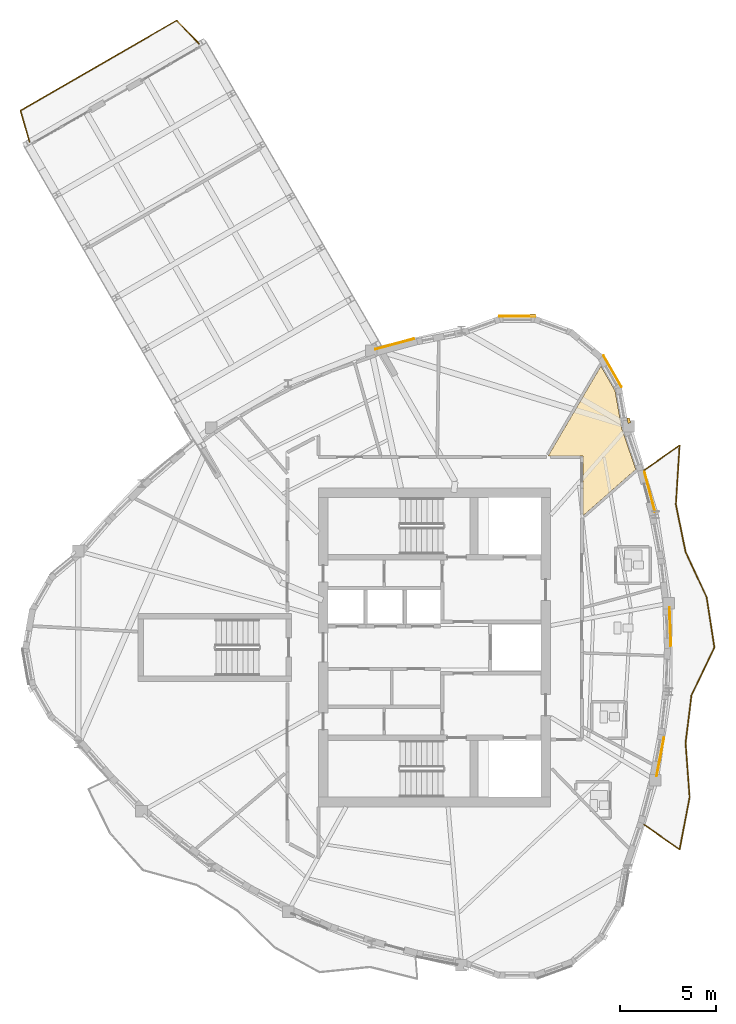
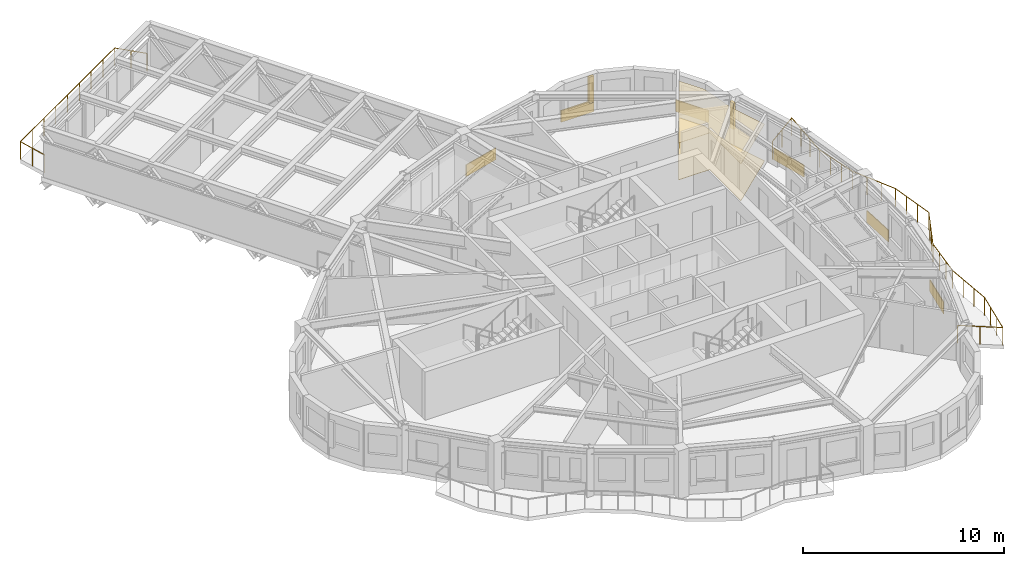
# One storey, part 13 of 14: 8 coverings, 2 railings, 2 shading devices.
"""IFC4 building model written with IfcOpenShell, lengths in metres."""

from ifc_helpers import new_model, si_unit, direction, frame, origin, origin_2d, place, context, subcontext, project, spatial, polyline, rectangle, circle, outline, extrude, source, transform, mapped, material, layer, layer_set, type_object, element, save


model = new_model("IFC4")

# Units and contexts
model_context = context("Model", 3, precision=1e-05, world=origin(), true_north=direction((0.0, 1.0)))
body_context = subcontext(model_context, "Body", "Model", "MODEL_VIEW")
ifc_project = project(units=[si_unit("LENGTHUNIT", "METRE"), si_unit("AREAUNIT", "SQUARE_METRE"), si_unit("VOLUMEUNIT", "CUBIC_METRE"), si_unit("PLANEANGLEUNIT", "RADIAN"), si_unit("MASSUNIT", "GRAM", prefix="KILO")], contexts=[model_context])

# Site, building, storey
site_placement = place(None, origin())
site = spatial("IfcSite", under=ifc_project, at=site_placement, CompositionType="ELEMENT")
building_placement = place(site_placement, origin())
building = spatial("IfcBuilding", under=site, at=building_placement, Name="Qafzar Sky-Pleat Residences", CompositionType="ELEMENT")
storey_placement = place(building_placement, frame((0.0, 0.0, 208.39990234375)))
storey = spatial("IfcBuildingStorey", under=building, at=storey_placement, Name="L62", CompositionType="ELEMENT", Elevation=208.39990234375)

# Coverings
ifc_material_1 = material(Name="Perforated acoustic gypsum board ceiling")
ifc_layer_1 = layer(ifc_material_1, 0.02001953125)
ifc_layer_set_1 = layer_set([ifc_layer_1], Name="Perforated acoustic gypsum board ceiling")
covering_type_1 = type_object("IfcCoveringType", Name="COV-CEIL-ACOUSTIC", PredefinedType="CEILING", material=ifc_layer_set_1)
covering_1_placement = place(storey_placement, frame((0.0, 0.0, 2.239990234375)))
element("IfcCovering", 1, at=covering_1_placement, inside=storey, type_object=covering_type_1, Name="L62 Communal Kitchen Acoustic Ceiling", PredefinedType="CEILING", context=body_context, shape_type="SweptSolid", body=[
    extrude(outline(polyline([(39.74951171875, 39.377685546875), (40.093017578125, 37.429931640625), (40.830810546875, 35.273193359375), (38.080078125, 32.860107421875), (38.080078125, 35.97998046875), (36.27490234375, 35.97998046875), (39.014892578125, 40.650390625), (39.74951171875, 39.377685546875)])), origin(), (0.0, 0.0, 1.0), 0.02001953125),
])
ifc_material_2 = material(Name="Honed porcelain and Riyadh stone tile flooring", Category="masonry")
ifc_layer_2 = layer(ifc_material_2, 0.02001953125)
ifc_layer_set_2 = layer_set([ifc_layer_2], Name="Honed porcelain and Riyadh stone tile flooring")
covering_type_2 = type_object("IfcCoveringType", Name="COV-FLR-PORCELAIN", PredefinedType="FLOORING", material=ifc_layer_set_2)
covering_2_placement = place(storey_placement, origin())
element("IfcCovering", 2, at=covering_2_placement, inside=storey, type_object=covering_type_2, Name="L62 Communal Kitchen Honed Stone Flooring", PredefinedType="FLOORING", context=body_context, shape_type="SweptSolid", body=[
    extrude(outline(polyline([(39.74951171875, 39.377685546875), (40.093017578125, 37.429931640625), (40.830810546875, 35.273193359375), (38.080078125, 32.860107421875), (38.080078125, 35.97998046875), (36.27490234375, 35.97998046875), (39.014892578125, 40.650390625), (39.74951171875, 39.377685546875)])), origin(), (0.0, 0.0, 1.0), 0.02001953125),
])

# Shading devices
ifc_material_3 = material(Name="Honed Riyadh limestone solar fin", Category="masonry")
ifc_layer_3 = layer(ifc_material_3, 0.139892578125)
ifc_layer_set_3 = layer_set([ifc_layer_3], Name="Honed Riyadh limestone solar fin")
shading_device_type = type_object("IfcShadingDeviceType", Name="SHD-FIN-STONE", PredefinedType="SHUTTER", material=ifc_layer_set_3)
shared_shape_1 = source(origin(), body_context, "Body", "SweptSolid", [
    extrude(rectangle(XDim=0.139892578125, YDim=0.280029296875, at=origin_2d()), origin(), (0.0, 0.0, 1.0), 1.60009765625),
])
for number, where, z_axis, x_axis, name in (
    (3, (40.466796875, 37.815673828125, 0.60009765625), (0.0, 0.0, 1.0), (0.984806040716, 0.173657888303, 0.0), "L62 Limestone Solar Fin 33"),
    (4, (35.45751953125, 43.29931640625, 0.60009765625), (0.0, 0.0, 1.0), (0.0, 1.0, 0.0), "L62 Limestone Solar Fin 37"),
):
    element("IfcShadingDevice", number, at=place(storey_placement, frame(where, z_axis=z_axis, x_axis=x_axis)), inside=storey, type_object=shading_device_type, Name=name, PredefinedType="SHUTTER", context=body_context, shape_type="MappedRepresentation", body=[
        mapped(shared_shape_1, transform((0.0, 0.0, 0.0), x_axis=(1.0, 0.0, 0.0), y_axis=(0.0, 1.0, 0.0), z_axis=(0.0, 0.0, 1.0), scale=1.0)),
    ])

# Coverings
ifc_material_4 = material(Name="Honed Riyadh Tuwaiq limestone cladding", Category="masonry")
ifc_layer_4 = layer(ifc_material_4, 0.044921875)
ifc_layer_set_4 = layer_set([ifc_layer_4], Name="Honed Riyadh Tuwaiq limestone cladding")
covering_type_3 = type_object("IfcCoveringType", Name="COV-CLAD-STONE", PredefinedType="CLADDING", material=ifc_layer_set_4)
shared_shape_2 = source(origin(), body_context, "Body", "SweptSolid", [
    extrude(rectangle(XDim=1.88134765625, YDim=0.044921875, at=origin_2d()), origin(), (0.0, 0.0, 1.0), 0.719970703125),
])
covering_3_placement = place(storey_placement, frame((34.652587890625, 43.25634765625, 0.02001953125), z_axis=(0.0, 0.0, 1.0), x_axis=(-1.0, 0.0, 0.0)))
element("IfcCovering", 5, at=covering_3_placement, inside=storey, type_object=covering_type_3, Name="L62 Riyadh Limestone Spandrel Cladding 37", PredefinedType="CLADDING", context=body_context, shape_type="MappedRepresentation", body=[
    mapped(shared_shape_2, transform((0.0, 0.0, 0.0), x_axis=(1.0, 0.0, 0.0), y_axis=(0.0, 1.0, 0.0), z_axis=(0.0, 0.0, 1.0), scale=1.0)),
])
shared_shape_3 = source(origin(), body_context, "Body", "SweptSolid", [
    extrude(rectangle(XDim=1.881103515625, YDim=0.044921875, at=origin_2d()), origin(), (0.0, 0.0, 1.0), 0.719970703125),
])
covering_4_placement = place(storey_placement, frame((39.6181640625, 40.389404296875, 0.02001953125), z_axis=(0.0, 0.0, 1.0), x_axis=(-0.499993018474, 0.866029434533, 0.0)))
element("IfcCovering", 6, at=covering_4_placement, inside=storey, type_object=covering_type_3, Name="L62 Riyadh Limestone Spandrel Cladding 34", PredefinedType="CLADDING", context=body_context, shape_type="MappedRepresentation", body=[
    mapped(shared_shape_3, transform((0.0, 0.0, 0.0), x_axis=(1.0, 0.0, 0.0), y_axis=(0.0, 1.0, 0.0), z_axis=(0.0, 0.0, 1.0), scale=1.0)),
])

# Railing
ifc_material_5 = material(Name="Laminated glass and bronze steel balustrade", Category="steel")
railing_type = type_object("IfcRailingType", Name="RAIL-BAL-1100", PredefinedType="BALUSTRADE", material=ifc_material_5)
shared_shape_4 = source(origin(), body_context, "Body", "SweptSolid", [
    extrude(circle(Radius=0.02392578125, at=origin_2d()), frame((0.0, 0.0, 1.076171875), z_axis=(0.820699148527, -0.571360575825, 0.0), x_axis=(0.571360575825, 0.820699148527, 0.0)), (0.0, 0.0, 1.0), 2.270751953125),
    extrude(circle(Radius=0.02392578125, at=origin_2d()), frame((1.863525390625, -1.29736328125, 1.076171875), z_axis=(0.187853347228, 0.982197088132, 0.0), x_axis=(-0.982197088132, 0.187853347228, 0.0)), (0.0, 0.0, 1.0), 2.76953125),
    extrude(circle(Radius=0.02392578125, at=origin_2d()), frame((2.3837890625, 1.4228515625, 1.076171875), z_axis=(-0.074134926402, 0.997248220198, 0.0), x_axis=(-0.997248220198, -0.074134926402, 0.0)), (0.0, 0.0, 1.0), 2.83544921875),
    extrude(circle(Radius=0.02392578125, at=origin_2d()), frame((2.173583984375, 4.25048828125, 1.076171875), z_axis=(0.122041359786, 0.992525015555, 0.0), x_axis=(-0.992525015555, 0.122041359786, 0.0)), (0.0, 0.0, 1.0), 2.502685546875),
    extrude(circle(Radius=0.02392578125, at=origin_2d()), frame((2.47900390625, 6.734375, 1.076171875), z_axis=(0.43262475459, 0.901574079994, 0.0), x_axis=(-0.901574079994, 0.43262475459, 0.0)), (0.0, 0.0, 1.0), 2.762451171875),
    extrude(circle(Radius=0.02392578125, at=origin_2d()), frame((3.674072265625, 9.224853515625, 1.076171875), z_axis=(-0.152930452608, 0.988236953703, 0.0), x_axis=(-0.988236953703, -0.152930452608, 0.0)), (0.0, 0.0, 1.0), 2.64697265625),
    extrude(circle(Radius=0.02392578125, at=origin_2d()), frame((3.269287109375, 11.840576171875, 1.076171875), z_axis=(-0.421307122225, 0.906918027587, 0.0), x_axis=(-0.906918027587, -0.421307122225, 0.0)), (0.0, 0.0, 1.0), 2.600830078125),
    extrude(circle(Radius=0.02392578125, at=origin_2d()), frame((2.173583984375, 14.19921875, 1.076171875), z_axis=(-0.200508172089, 0.979692029633, 0.0), x_axis=(-0.979692029633, -0.200508172089, 0.0)), (0.0, 0.0, 1.0), 2.521728515625),
    extrude(circle(Radius=0.02392578125, at=origin_2d()), frame((1.66796875, 16.669677734375, 1.076171875), z_axis=(0.06341829545, 0.997987033885, 0.0), x_axis=(-0.997987033885, 0.06341829545, 0.0)), (0.0, 0.0, 1.0), 3.08349609375),
    extrude(circle(Radius=0.02392578125, at=origin_2d()), frame((1.863525390625, 19.7470703125, 1.076171875), z_axis=(-0.820699148527, -0.571360575825, 0.0), x_axis=(0.571360575825, -0.820699148527, 0.0)), (0.0, 0.0, 1.0), 2.270751953125),
    extrude(circle(Radius=0.02099609375, at=origin_2d()), origin(), (0.0, 0.0, 1.0), 1.052001953125),
    extrude(circle(Radius=0.02099609375, at=origin_2d()), frame((0.931640625, -0.648681640625, 0.0)), (0.0, 0.0, 1.0), 1.052001953125),
    extrude(circle(Radius=0.02099609375, at=origin_2d()), frame((1.863525390625, -1.29736328125, 0.0)), (0.0, 0.0, 1.0), 1.052001953125),
    extrude(circle(Radius=0.02099609375, at=origin_2d()), frame((2.036865234375, -0.390625, 0.0)), (0.0, 0.0, 1.0), 1.052001953125),
    extrude(circle(Radius=0.02099609375, at=origin_2d()), frame((2.21044921875, 0.51611328125, 0.0)), (0.0, 0.0, 1.0), 1.052001953125),
    extrude(circle(Radius=0.02099609375, at=origin_2d()), frame((2.3837890625, 1.4228515625, 0.0)), (0.0, 0.0, 1.0), 1.052001953125),
    extrude(circle(Radius=0.02099609375, at=origin_2d()), frame((2.313720703125, 2.365478515625, 0.0)), (0.0, 0.0, 1.0), 1.052001953125),
    extrude(circle(Radius=0.02099609375, at=origin_2d()), frame((2.24365234375, 3.307861328125, 0.0)), (0.0, 0.0, 1.0), 1.052001953125),
    extrude(circle(Radius=0.02099609375, at=origin_2d()), frame((2.173583984375, 4.25048828125, 0.0)), (0.0, 0.0, 1.0), 1.052001953125),
    extrude(circle(Radius=0.02099609375, at=origin_2d()), frame((2.275390625, 5.078369140625, 0.0)), (0.0, 0.0, 1.0), 1.052001953125),
    extrude(circle(Radius=0.02099609375, at=origin_2d()), frame((2.377197265625, 5.906494140625, 0.0)), (0.0, 0.0, 1.0), 1.052001953125),
    extrude(circle(Radius=0.02099609375, at=origin_2d()), frame((2.47900390625, 6.734375, 0.0)), (0.0, 0.0, 1.0), 1.052001953125),
    extrude(circle(Radius=0.02099609375, at=origin_2d()), frame((2.87744140625, 7.564453125, 0.0)), (0.0, 0.0, 1.0), 1.052001953125),
    extrude(circle(Radius=0.02099609375, at=origin_2d()), frame((3.275634765625, 8.394775390625, 0.0)), (0.0, 0.0, 1.0), 1.052001953125),
    extrude(circle(Radius=0.02099609375, at=origin_2d()), frame((3.674072265625, 9.224853515625, 0.0)), (0.0, 0.0, 1.0), 1.052001953125),
    extrude(circle(Radius=0.02099609375, at=origin_2d()), frame((3.5390625, 10.0966796875, 0.0)), (0.0, 0.0, 1.0), 1.052001953125),
    extrude(circle(Radius=0.02099609375, at=origin_2d()), frame((3.404296875, 10.96875, 0.0)), (0.0, 0.0, 1.0), 1.052001953125),
    extrude(circle(Radius=0.02099609375, at=origin_2d()), frame((3.269287109375, 11.840576171875, 0.0)), (0.0, 0.0, 1.0), 1.052001953125),
    extrude(circle(Radius=0.02099609375, at=origin_2d()), frame((2.904052734375, 12.626708984375, 0.0)), (0.0, 0.0, 1.0), 1.052001953125),
    extrude(circle(Radius=0.02099609375, at=origin_2d()), frame((2.538818359375, 13.4130859375, 0.0)), (0.0, 0.0, 1.0), 1.052001953125),
    extrude(circle(Radius=0.02099609375, at=origin_2d()), frame((2.173583984375, 14.19921875, 0.0)), (0.0, 0.0, 1.0), 1.052001953125),
    extrude(circle(Radius=0.02099609375, at=origin_2d()), frame((2.005126953125, 15.022705078125, 0.0)), (0.0, 0.0, 1.0), 1.052001953125),
    extrude(circle(Radius=0.02099609375, at=origin_2d()), frame((1.83642578125, 15.84619140625, 0.0)), (0.0, 0.0, 1.0), 1.052001953125),
    extrude(circle(Radius=0.02099609375, at=origin_2d()), frame((1.66796875, 16.669677734375, 0.0)), (0.0, 0.0, 1.0), 1.052001953125),
    extrude(circle(Radius=0.02099609375, at=origin_2d()), frame((1.733154296875, 17.695556640625, 0.0)), (0.0, 0.0, 1.0), 1.052001953125),
    extrude(circle(Radius=0.02099609375, at=origin_2d()), frame((1.79833984375, 18.72119140625, 0.0)), (0.0, 0.0, 1.0), 1.052001953125),
    extrude(circle(Radius=0.02099609375, at=origin_2d()), frame((1.863525390625, 19.7470703125, 0.0)), (0.0, 0.0, 1.0), 1.052001953125),
    extrude(circle(Radius=0.02099609375, at=origin_2d()), frame((0.931640625, 19.098388671875, 0.0)), (0.0, 0.0, 1.0), 1.052001953125),
    extrude(circle(Radius=0.02099609375, at=origin_2d()), frame((0.0, 18.44970703125, 0.0)), (0.0, 0.0, 1.0), 1.052001953125),
])
railing_1_placement = place(storey_placement, frame((41.25048828125, 16.775146484375, 0.0)))
element("IfcRailing", 7, at=railing_1_placement, inside=storey, type_object=railing_type, Name="L62 Pleated Balcony 1 Balustrade", PredefinedType="BALUSTRADE", context=body_context, shape_type="MappedRepresentation", body=[
    mapped(shared_shape_4, transform((0.0, 0.0, 0.0), x_axis=(1.0, 0.0, 0.0), y_axis=(0.0, 1.0, 0.0), z_axis=(0.0, 0.0, 1.0), scale=1.0)),
])

# Coverings
shared_shape_5 = source(origin(), body_context, "Body", "SweptSolid", [
    extrude(rectangle(XDim=2.064453125, YDim=0.044921875, at=origin_2d()), origin(), (0.0, 0.0, 1.0), 0.719970703125),
])
covering_5_placement = place(storey_placement, frame((42.106201171875, 20.297607421875, 0.02001953125), z_axis=(0.0, 0.0, 1.0), x_axis=(0.186683368003, 0.982420134215, 0.0)))
element("IfcCovering", 8, at=covering_5_placement, inside=storey, type_object=covering_type_3, Name="L62 Riyadh Limestone Spandrel Cladding 25", PredefinedType="CLADDING", context=body_context, shape_type="MappedRepresentation", body=[
    mapped(shared_shape_5, transform((0.0, 0.0, 0.0), x_axis=(1.0, 0.0, 0.0), y_axis=(0.0, 1.0, 0.0), z_axis=(0.0, 0.0, 1.0), scale=1.0)),
])
shared_shape_6 = source(origin(), body_context, "Body", "SweptSolid", [
    extrude(rectangle(XDim=2.02880859375, YDim=0.044921875, at=origin_2d()), origin(), (0.0, 0.0, 1.0), 0.719970703125),
])
covering_6_placement = place(storey_placement, frame((42.622314453125, 27.089111328125, 0.02001953125), z_axis=(0.0, 0.0, 1.0), x_axis=(-0.038017422294, 0.999277076492, 0.0)))
element("IfcCovering", 9, at=covering_6_placement, inside=storey, type_object=covering_type_3, Name="L62 Riyadh Limestone Spandrel Cladding 28", PredefinedType="CLADDING", context=body_context, shape_type="MappedRepresentation", body=[
    mapped(shared_shape_6, transform((0.0, 0.0, 0.0), x_axis=(1.0, 0.0, 0.0), y_axis=(0.0, 1.0, 0.0), z_axis=(0.0, 0.0, 1.0), scale=1.0)),
])
shared_shape_7 = source(origin(), body_context, "Body", "SweptSolid", [
    extrude(rectangle(XDim=2.162353515625, YDim=0.044921875, at=origin_2d()), origin(), (0.0, 0.0, 1.0), 0.719970703125),
])
covering_7_placement = place(storey_placement, frame((41.560791015625, 34.099365234375, 0.02001953125), z_axis=(0.0, 0.0, 1.0), x_axis=(-0.257051236723, 0.966397776125, 0.0)))
element("IfcCovering", 10, at=covering_7_placement, inside=storey, type_object=covering_type_3, Name="L62 Riyadh Limestone Spandrel Cladding 31", PredefinedType="CLADDING", context=body_context, shape_type="MappedRepresentation", body=[
    mapped(shared_shape_7, transform((0.0, 0.0, 0.0), x_axis=(1.0, 0.0, 0.0), y_axis=(0.0, 1.0, 0.0), z_axis=(0.0, 0.0, 1.0), scale=1.0)),
])
shared_shape_8 = source(origin(), body_context, "Body", "SweptSolid", [
    extrude(rectangle(XDim=2.099365234375, YDim=0.044921875, at=origin_2d()), origin(), (0.0, 0.0, 1.0), 0.719970703125),
])
covering_8_placement = place(storey_placement, frame((28.267578125, 41.802978515625, 0.02001953125), z_axis=(0.0, 0.0, 1.0), x_axis=(-0.965457881236, -0.260559167101, 0.0)))
element("IfcCovering", 11, at=covering_8_placement, inside=storey, type_object=covering_type_3, Name="L62 Riyadh Limestone Spandrel Cladding 40", PredefinedType="CLADDING", context=body_context, shape_type="MappedRepresentation", body=[
    mapped(shared_shape_8, transform((0.0, 0.0, 0.0), x_axis=(1.0, 0.0, 0.0), y_axis=(0.0, 1.0, 0.0), z_axis=(0.0, 0.0, 1.0), scale=1.0)),
])

# Railing
shared_shape_9 = source(origin(), body_context, "Body", "SweptSolid", [
    extrude(circle(Radius=0.02392578125, at=origin_2d()), frame((0.0, 0.0, 1.076171875), z_axis=(-0.691489373031, 0.722386632618, 0.0), x_axis=(-0.722386632618, -0.691489373031, 0.0)), (0.0, 0.0, 1.0), 1.68310546875),
    extrude(circle(Radius=0.02392578125, at=origin_2d()), frame((-1.163818359375, 1.2158203125, 1.076171875), z_axis=(-0.866027286158, -0.499996739618, 0.0), x_axis=(0.499996739618, -0.866027286158, 0.0)), (0.0, 0.0, 1.0), 9.39990234375),
    extrude(circle(Radius=0.02392578125, at=origin_2d()), frame((-9.304443359375, -3.484130859375, 1.076171875), z_axis=(0.279793912061, -0.960060084981, 0.0), x_axis=(0.960060084981, 0.279793912061, 0.0)), (0.0, 0.0, 1.0), 1.68310546875),
    extrude(circle(Radius=0.02099609375, at=origin_2d()), origin(), (0.0, 0.0, 1.0), 1.052001953125),
    extrude(circle(Radius=0.02099609375, at=origin_2d()), frame((-0.58203125, 0.60791015625, 0.0)), (0.0, 0.0, 1.0), 1.052001953125),
    extrude(circle(Radius=0.02099609375, at=origin_2d()), frame((-1.163818359375, 1.2158203125, 0.0)), (0.0, 0.0, 1.0), 1.052001953125),
    extrude(circle(Radius=0.02099609375, at=origin_2d()), frame((-2.181396484375, 0.62841796875, 0.0)), (0.0, 0.0, 1.0), 1.052001953125),
    extrude(circle(Radius=0.02099609375, at=origin_2d()), frame((-3.198974609375, 0.040771484375, 0.0)), (0.0, 0.0, 1.0), 1.052001953125),
    extrude(circle(Radius=0.02099609375, at=origin_2d()), frame((-4.216552734375, -0.546630859375, 0.0)), (0.0, 0.0, 1.0), 1.052001953125),
    extrude(circle(Radius=0.02099609375, at=origin_2d()), frame((-5.234130859375, -1.13427734375, 0.0)), (0.0, 0.0, 1.0), 1.052001953125),
    extrude(circle(Radius=0.02099609375, at=origin_2d()), frame((-6.251708984375, -1.7216796875, 0.0)), (0.0, 0.0, 1.0), 1.052001953125),
    extrude(circle(Radius=0.02099609375, at=origin_2d()), frame((-7.269287109375, -2.30908203125, 0.0)), (0.0, 0.0, 1.0), 1.052001953125),
    extrude(circle(Radius=0.02099609375, at=origin_2d()), frame((-8.286865234375, -2.896728515625, 0.0)), (0.0, 0.0, 1.0), 1.052001953125),
    extrude(circle(Radius=0.02099609375, at=origin_2d()), frame((-9.304443359375, -3.484130859375, 0.0)), (0.0, 0.0, 1.0), 1.052001953125),
    extrude(circle(Radius=0.02099609375, at=origin_2d()), frame((-9.06884765625, -4.2919921875, 0.0)), (0.0, 0.0, 1.0), 1.052001953125),
    extrude(circle(Radius=0.02099609375, at=origin_2d()), frame((-8.83349609375, -5.10009765625, 0.0)), (0.0, 0.0, 1.0), 1.052001953125),
])
railing_2_placement = place(storey_placement, frame((18.084716796875, 57.444091796875, 0.0)))
element("IfcRailing", 12, at=railing_2_placement, inside=storey, type_object=railing_type, Name="L62 SB-5 Tip Observation Balcony Balustrade", PredefinedType="BALUSTRADE", context=body_context, shape_type="MappedRepresentation", body=[
    mapped(shared_shape_9, transform((0.0, 0.0, 0.0), x_axis=(1.0, 0.0, 0.0), y_axis=(0.0, 1.0, 0.0), z_axis=(0.0, 0.0, 1.0), scale=1.0)),
])

save(model, "model.ifc")
